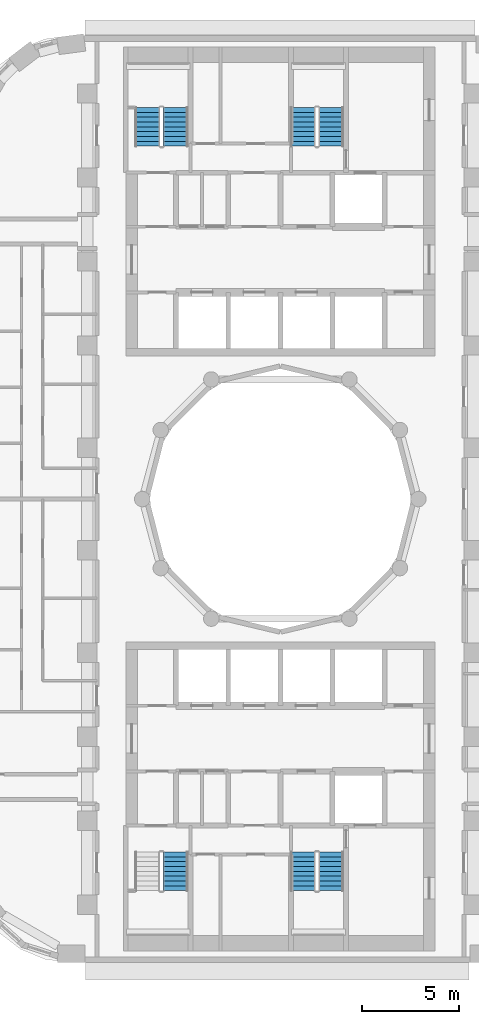
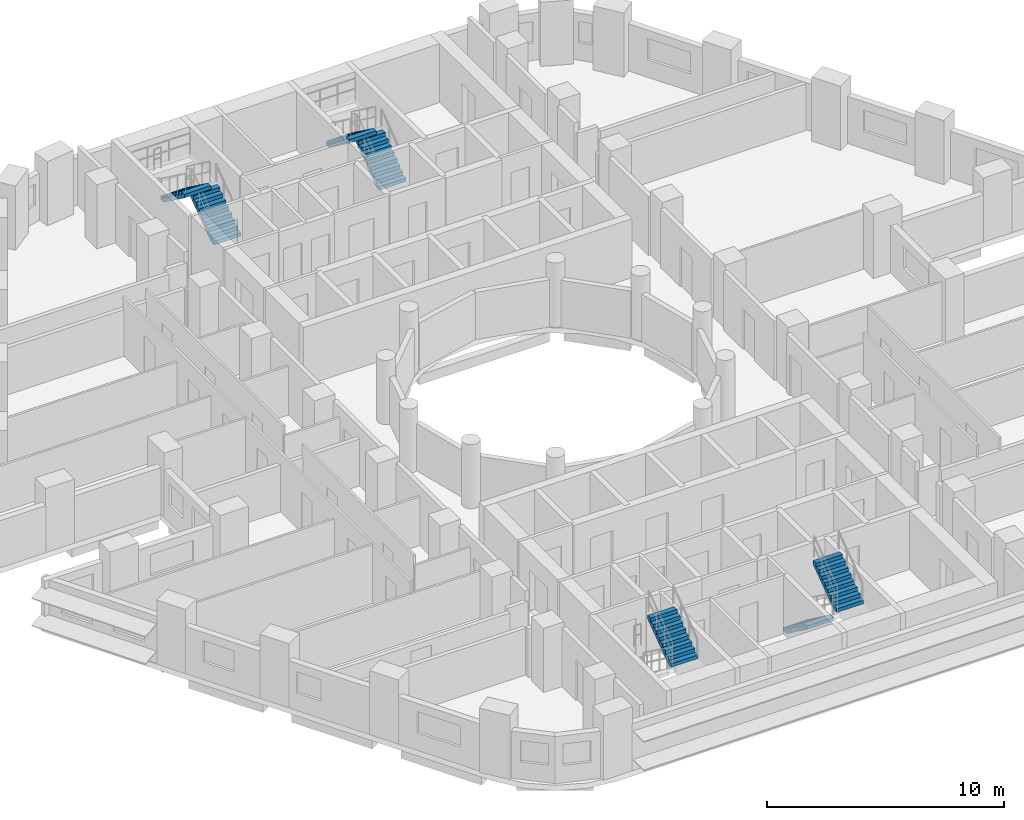
# One storey, part 9 of 14: 7 stair flights, 4 elements without a shape of their own.
"""IFC4 building model written with IfcOpenShell, lengths in metres."""

from ifc_helpers import new_model, si_unit, direction, frame, origin, place, context, subcontext, project, spatial, polyline, outline, extrude, material, type_object, element, aggregate, save


model = new_model("IFC4")

# Units and contexts
model_context = context("Model", 3, precision=1e-05, world=origin(), true_north=direction((0.0, 1.0)))
body_context = subcontext(model_context, "Body", "Model", "MODEL_VIEW")
ifc_project = project(units=[si_unit("LENGTHUNIT", "METRE"), si_unit("AREAUNIT", "SQUARE_METRE"), si_unit("VOLUMEUNIT", "CUBIC_METRE"), si_unit("PLANEANGLEUNIT", "RADIAN"), si_unit("MASSUNIT", "GRAM", prefix="KILO")], contexts=[model_context])

# Site, building, storey
site_placement = place(None, origin())
site = spatial("IfcSite", under=ifc_project, at=site_placement, CompositionType="ELEMENT")
building_placement = place(site_placement, origin())
building = spatial("IfcBuilding", under=site, at=building_placement, Name="Nakaniwa Court", CompositionType="ELEMENT")
storey_placement = place(building_placement, frame((0.0, 0.0, 110.699951171875)))
storey = spatial("IfcBuildingStorey", under=building, at=storey_placement, Name="L29", CompositionType="ELEMENT", Elevation=110.699951171875)

# Stair, stair flights
ifc_material = material(Name="Concrete C80/100", Category="concrete")
stair_type = type_object("IfcStairType", Name="Dog leg stair 1300 wide 18 risers", PredefinedType="HALF_TURN_STAIR", material=ifc_material)
stair_1_placement = place(storey_placement, origin())
stair_1 = element("IfcStair", 1, at=stair_1_placement, inside=storey, type_object=stair_type, Name="L29 Stair ST1", PredefinedType="HALF_TURN_STAIR")
stair_flight_type = type_object("IfcStairFlightType", Name="Stair flight 1300 wide 9 risers", PredefinedType="STRAIGHT", material=ifc_material)
stair_flight_1_placement = place(storey_placement, frame((74.574951171875, 98.27490234375, 0.0), z_axis=(0.0, 0.0, 1.0), x_axis=(0.0, 1.0, 0.0)))
stair_flight_1 = element("IfcStairFlight", 2, at=stair_flight_1_placement, type_object=stair_flight_type, Name="ST1 flight 1", NumberOfRisers=9, NumberOfTreads=8, PredefinedType="STRAIGHT", RiserHeight=0.183333333, TreadLength=0.25, context=body_context, shape_type="SweptSolid", body=[
    extrude(outline(polyline([(0.0, 0.0), (0.0, 0.026123046875), (0.0, 0.052490234375), (0.0, 0.07861328125), (0.0, 0.104736328125), (0.0, 0.130859375), (0.0, 0.1572265625), (0.0, 0.183349609375), (0.25, 0.183349609375), (0.25, 0.36669921875), (0.5, 0.36669921875), (0.5, 0.550048828125), (0.75, 0.550048828125), (0.75, 0.7333984375), (1.0, 0.7333984375), (1.0, 0.916748046875), (1.25, 0.916748046875), (1.25, 1.10009765625), (1.5, 1.10009765625), (1.5, 1.283447265625), (1.75, 1.283447265625), (1.75, 1.466552734375), (2.0, 1.466552734375), (2.0, 1.64990234375), (2.0, 1.59716796875), (2.0, 1.54443359375), (2.0, 1.49169921875), (2.0, 1.43896484375), (2.0, 1.38623046875), (2.0, 1.33349609375), (2.0, 1.28076171875), (0.25341796875, 0.0), (0.0, 0.0)])), frame((0.0, 0.64990234375, 0.0), z_axis=(0.0, -1.0, 0.0), x_axis=(1.0, 0.0, 0.0)), (0.0, 0.0, 1.0), 1.300048828125),
])
stair_flight_2_placement = place(storey_placement, frame((73.125, 100.27490234375, 1.650146484375), z_axis=(0.0, 0.0, 1.0), x_axis=(0.0, -1.0, 0.0)))
stair_flight_2 = element("IfcStairFlight", 3, at=stair_flight_2_placement, type_object=stair_flight_type, Name="ST1 flight 2", NumberOfRisers=9, NumberOfTreads=8, PredefinedType="STRAIGHT", RiserHeight=0.183333333, TreadLength=0.25, context=body_context, shape_type="SweptSolid", body=[
    extrude(outline(polyline([(0.0, 0.0), (0.0, 0.026123046875), (0.0, 0.052490234375), (0.0, 0.07861328125), (0.0, 0.104736328125), (0.0, 0.130859375), (0.0, 0.1572265625), (0.0, 0.183349609375), (0.25, 0.183349609375), (0.25, 0.36669921875), (0.5, 0.36669921875), (0.5, 0.550048828125), (0.75, 0.550048828125), (0.75, 0.7333984375), (1.0, 0.7333984375), (1.0, 0.916748046875), (1.25, 0.916748046875), (1.25, 1.10009765625), (1.5, 1.10009765625), (1.5, 1.283447265625), (1.75, 1.283447265625), (1.75, 1.466552734375), (2.0, 1.466552734375), (2.0, 1.64990234375), (2.0, 1.59716796875), (2.0, 1.54443359375), (2.0, 1.49169921875), (2.0, 1.43896484375), (2.0, 1.38623046875), (2.0, 1.33349609375), (2.0, 1.28076171875), (0.25341796875, 0.0), (0.0, 0.0)])), frame((0.0, 0.64990234375, 0.0), z_axis=(0.0, -1.0, 0.0), x_axis=(1.0, 0.0, 0.0)), (0.0, 0.0, 1.0), 1.300048828125),
])
aggregate(stair_1, [stair_flight_1, stair_flight_2])

stair_2_placement = place(storey_placement, origin())
stair_2 = element("IfcStair", 4, at=stair_2_placement, inside=storey, type_object=stair_type, Name="L29 Stair ST2", PredefinedType="HALF_TURN_STAIR")
stair_flight_3_placement = place(storey_placement, frame((82.625, 98.27490234375, 0.0), z_axis=(0.0, 0.0, 1.0), x_axis=(0.0, 1.0, 0.0)))
stair_flight_3 = element("IfcStairFlight", 5, at=stair_flight_3_placement, type_object=stair_flight_type, Name="ST2 flight 1", NumberOfRisers=9, NumberOfTreads=8, PredefinedType="STRAIGHT", RiserHeight=0.183333333, TreadLength=0.25, context=body_context, shape_type="SweptSolid", body=[
    extrude(outline(polyline([(0.0, 0.0), (0.0, 0.026123046875), (0.0, 0.052490234375), (0.0, 0.07861328125), (0.0, 0.104736328125), (0.0, 0.130859375), (0.0, 0.1572265625), (0.0, 0.183349609375), (0.25, 0.183349609375), (0.25, 0.36669921875), (0.5, 0.36669921875), (0.5, 0.550048828125), (0.75, 0.550048828125), (0.75, 0.7333984375), (1.0, 0.7333984375), (1.0, 0.916748046875), (1.25, 0.916748046875), (1.25, 1.10009765625), (1.5, 1.10009765625), (1.5, 1.283447265625), (1.75, 1.283447265625), (1.75, 1.466552734375), (2.0, 1.466552734375), (2.0, 1.64990234375), (2.0, 1.59716796875), (2.0, 1.54443359375), (2.0, 1.49169921875), (2.0, 1.43896484375), (2.0, 1.38623046875), (2.0, 1.33349609375), (2.0, 1.28076171875), (0.25341796875, 0.0), (0.0, 0.0)])), frame((0.0, 0.64990234375, 0.0), z_axis=(0.0, -1.0, 0.0), x_axis=(1.0, 0.0, 0.0)), (0.0, 0.0, 1.0), 1.300048828125),
])
stair_flight_4_placement = place(storey_placement, frame((81.175048828125, 100.27490234375, 1.650146484375), z_axis=(0.0, 0.0, 1.0), x_axis=(0.0, -1.0, 0.0)))
stair_flight_4 = element("IfcStairFlight", 6, at=stair_flight_4_placement, type_object=stair_flight_type, Name="ST2 flight 2", NumberOfRisers=9, NumberOfTreads=8, PredefinedType="STRAIGHT", RiserHeight=0.183333333, TreadLength=0.25, context=body_context, shape_type="SweptSolid", body=[
    extrude(outline(polyline([(0.0, 0.0), (0.0, 0.026123046875), (0.0, 0.052490234375), (0.0, 0.07861328125), (0.0, 0.104736328125), (0.0, 0.130859375), (0.0, 0.1572265625), (0.0, 0.183349609375), (0.25, 0.183349609375), (0.25, 0.36669921875), (0.5, 0.36669921875), (0.5, 0.550048828125), (0.75, 0.550048828125), (0.75, 0.7333984375), (1.0, 0.7333984375), (1.0, 0.916748046875), (1.25, 0.916748046875), (1.25, 1.10009765625), (1.5, 1.10009765625), (1.5, 1.283447265625), (1.75, 1.283447265625), (1.75, 1.466552734375), (2.0, 1.466552734375), (2.0, 1.64990234375), (2.0, 1.59716796875), (2.0, 1.54443359375), (2.0, 1.49169921875), (2.0, 1.43896484375), (2.0, 1.38623046875), (2.0, 1.33349609375), (2.0, 1.28076171875), (0.25341796875, 0.0), (0.0, 0.0)])), frame((0.0, 0.64990234375, 0.0), z_axis=(0.0, -1.0, 0.0), x_axis=(1.0, 0.0, 0.0)), (0.0, 0.0, 1.0), 1.300048828125),
])
aggregate(stair_2, [stair_flight_3, stair_flight_4])

# Stair, stair flight
stair_3_placement = place(storey_placement, origin())
stair_3 = element("IfcStair", 7, at=stair_3_placement, inside=storey, type_object=stair_type, Name="L29 Stair ST3", PredefinedType="HALF_TURN_STAIR")
stair_flight_5_placement = place(storey_placement, frame((74.574951171875, 59.72509765625, 1.650146484375), z_axis=(0.0, 0.0, 1.0), x_axis=(0.0, 1.0, 0.0)))
stair_flight_5 = element("IfcStairFlight", 8, at=stair_flight_5_placement, type_object=stair_flight_type, Name="ST3 flight 2", NumberOfRisers=9, NumberOfTreads=8, PredefinedType="STRAIGHT", RiserHeight=0.183333333, TreadLength=0.25, context=body_context, shape_type="SweptSolid", body=[
    extrude(outline(polyline([(0.0, 0.0), (0.0, 0.026123046875), (0.0, 0.052490234375), (0.0, 0.07861328125), (0.0, 0.104736328125), (0.0, 0.130859375), (0.0, 0.1572265625), (0.0, 0.183349609375), (0.25, 0.183349609375), (0.25, 0.36669921875), (0.5, 0.36669921875), (0.5, 0.550048828125), (0.75, 0.550048828125), (0.75, 0.7333984375), (1.0, 0.7333984375), (1.0, 0.916748046875), (1.25, 0.916748046875), (1.25, 1.10009765625), (1.5, 1.10009765625), (1.5, 1.283447265625), (1.75, 1.283447265625), (1.75, 1.466552734375), (2.0, 1.466552734375), (2.0, 1.64990234375), (2.0, 1.59716796875), (2.0, 1.54443359375), (2.0, 1.49169921875), (2.0, 1.43896484375), (2.0, 1.38623046875), (2.0, 1.33349609375), (2.0, 1.28076171875), (0.25341796875, 0.0), (0.0, 0.0)])), frame((0.0, 0.64990234375, 0.0), z_axis=(0.0, -1.0, 0.0), x_axis=(1.0, 0.0, 0.0)), (0.0, 0.0, 1.0), 1.300048828125),
])
aggregate(stair_3, [stair_flight_5])

# Stair, stair flights
stair_4_placement = place(storey_placement, origin())
stair_4 = element("IfcStair", 9, at=stair_4_placement, inside=storey, type_object=stair_type, Name="L29 Stair ST4", PredefinedType="HALF_TURN_STAIR")
stair_flight_6_placement = place(storey_placement, frame((81.175048828125, 61.72509765625, 0.0), z_axis=(0.0, 0.0, 1.0), x_axis=(0.0, -1.0, 0.0)))
stair_flight_6 = element("IfcStairFlight", 10, at=stair_flight_6_placement, type_object=stair_flight_type, Name="ST4 flight 1", NumberOfRisers=9, NumberOfTreads=8, PredefinedType="STRAIGHT", RiserHeight=0.183333333, TreadLength=0.25, context=body_context, shape_type="SweptSolid", body=[
    extrude(outline(polyline([(0.0, 0.0), (0.0, 0.026123046875), (0.0, 0.052490234375), (0.0, 0.07861328125), (0.0, 0.104736328125), (0.0, 0.130859375), (0.0, 0.1572265625), (0.0, 0.183349609375), (0.25, 0.183349609375), (0.25, 0.36669921875), (0.5, 0.36669921875), (0.5, 0.550048828125), (0.75, 0.550048828125), (0.75, 0.7333984375), (1.0, 0.7333984375), (1.0, 0.916748046875), (1.25, 0.916748046875), (1.25, 1.10009765625), (1.5, 1.10009765625), (1.5, 1.283447265625), (1.75, 1.283447265625), (1.75, 1.466552734375), (2.0, 1.466552734375), (2.0, 1.64990234375), (2.0, 1.59716796875), (2.0, 1.54443359375), (2.0, 1.49169921875), (2.0, 1.43896484375), (2.0, 1.38623046875), (2.0, 1.33349609375), (2.0, 1.28076171875), (0.25341796875, 0.0), (0.0, 0.0)])), frame((0.0, 0.64990234375, 0.0), z_axis=(0.0, -1.0, 0.0), x_axis=(1.0, 0.0, 0.0)), (0.0, 0.0, 1.0), 1.300048828125),
])
stair_flight_7_placement = place(storey_placement, frame((82.625, 59.72509765625, 1.650146484375), z_axis=(0.0, 0.0, 1.0), x_axis=(0.0, 1.0, 0.0)))
stair_flight_7 = element("IfcStairFlight", 11, at=stair_flight_7_placement, type_object=stair_flight_type, Name="ST4 flight 2", NumberOfRisers=9, NumberOfTreads=8, PredefinedType="STRAIGHT", RiserHeight=0.183333333, TreadLength=0.25, context=body_context, shape_type="SweptSolid", body=[
    extrude(outline(polyline([(0.0, 0.0), (0.0, 0.026123046875), (0.0, 0.052490234375), (0.0, 0.07861328125), (0.0, 0.104736328125), (0.0, 0.130859375), (0.0, 0.1572265625), (0.0, 0.183349609375), (0.25, 0.183349609375), (0.25, 0.36669921875), (0.5, 0.36669921875), (0.5, 0.550048828125), (0.75, 0.550048828125), (0.75, 0.7333984375), (1.0, 0.7333984375), (1.0, 0.916748046875), (1.25, 0.916748046875), (1.25, 1.10009765625), (1.5, 1.10009765625), (1.5, 1.283447265625), (1.75, 1.283447265625), (1.75, 1.466552734375), (2.0, 1.466552734375), (2.0, 1.64990234375), (2.0, 1.59716796875), (2.0, 1.54443359375), (2.0, 1.49169921875), (2.0, 1.43896484375), (2.0, 1.38623046875), (2.0, 1.33349609375), (2.0, 1.28076171875), (0.25341796875, 0.0), (0.0, 0.0)])), frame((0.0, 0.64990234375, 0.0), z_axis=(0.0, -1.0, 0.0), x_axis=(1.0, 0.0, 0.0)), (0.0, 0.0, 1.0), 1.300048828125),
])
aggregate(stair_4, [stair_flight_6, stair_flight_7])

save(model, "model.ifc")
